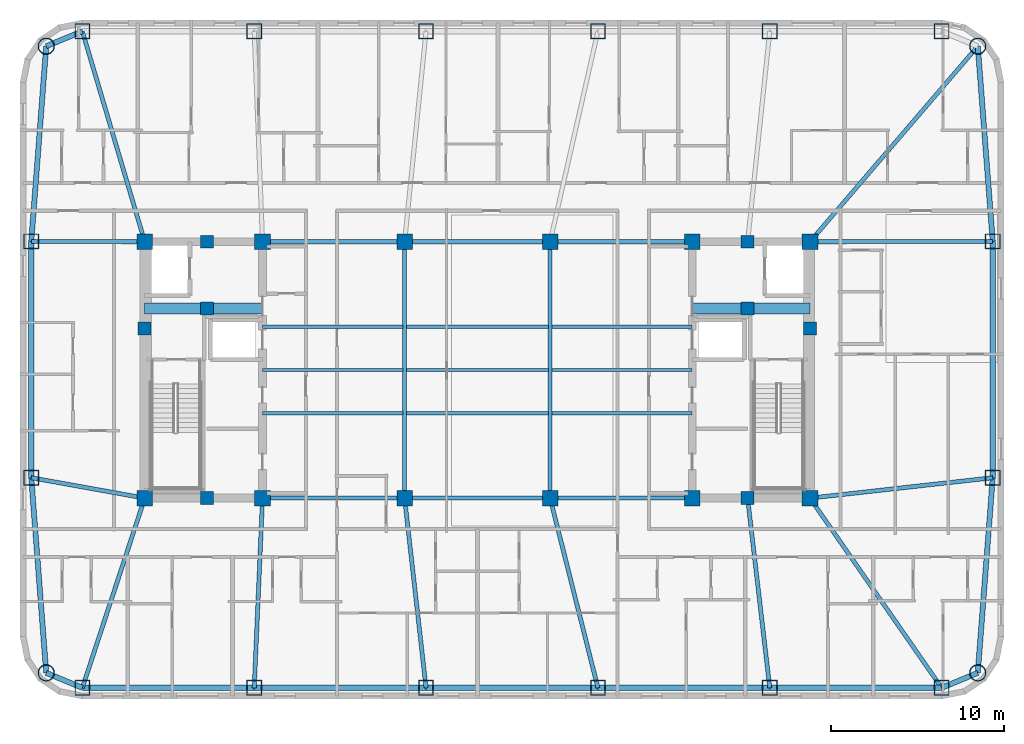
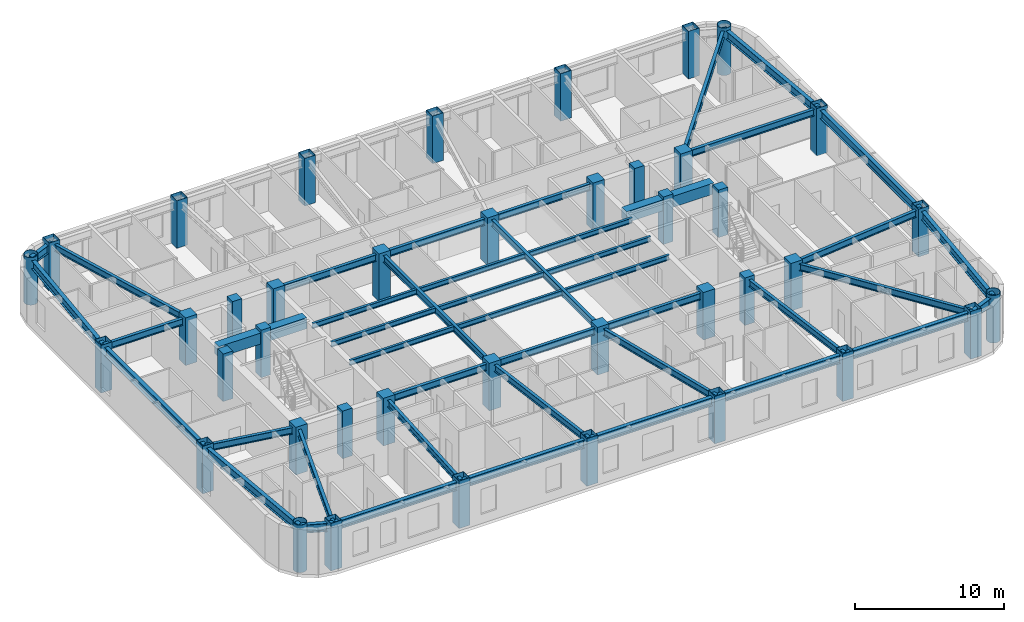
# One storey, part 1 of 11: 45 beams, 40 columns.
"""IFC4 building model written with IfcOpenShell, lengths in metres."""

from ifc_helpers import new_model, si_unit, direction, frame, origin, origin_2d, place, context, subcontext, project, spatial, rectangle, hollow_rectangle, hollow_circle, i_section, extrude, material, material_profile, profile_set, type_object, element, save


model = new_model("IFC4")

# Units and contexts
model_context = context("Model", 3, precision=1e-05, world=origin(), true_north=direction((0.0, 1.0)))
body_context = subcontext(model_context, "Body", "Model", "MODEL_VIEW")
ifc_project = project(units=[si_unit("LENGTHUNIT", "METRE"), si_unit("AREAUNIT", "SQUARE_METRE"), si_unit("VOLUMEUNIT", "CUBIC_METRE"), si_unit("PLANEANGLEUNIT", "RADIAN"), si_unit("MASSUNIT", "GRAM", prefix="KILO")], contexts=[model_context])

# Site, building, storey
site_placement = place(None, origin())
site = spatial("IfcSite", under=ifc_project, at=site_placement, CompositionType="ELEMENT")
building_placement = place(site_placement, origin())
building = spatial("IfcBuilding", under=site, at=building_placement, Name="Voryun Gate Residences", CompositionType="ELEMENT")
storey_placement = place(building_placement, frame((0.0, 0.0, 219.699951171875)))
storey = spatial("IfcBuildingStorey", under=building, at=storey_placement, Name="L54", CompositionType="ELEMENT", Elevation=219.699951171875)

# Columns
ifc_material_1 = material(Name="Concrete C50/60", Category="concrete")
ifc_material_profile_1 = material_profile(ifc_material_1, rectangle(XDim=0.75, YDim=0.75, at=origin_2d()), Name="RC-750x750")
ifc_profile_set_1 = profile_set([ifc_material_profile_1], Name="Concrete C50/60")
column_type_1 = type_object("IfcColumnType", Name="COL_CORE_750", PredefinedType="COLUMN", material=ifc_profile_set_1)
for number, where, z_axis, x_axis, name in (
    (1, (-19.199951171875, 2.39990234375, 0.0), (0.0, 0.0, 1.0), (1.0, 0.0, 0.0), "L54 Core boundary column WC-MW"),
    (2, (-15.60009765625, -7.39990234375, 0.0), (0.0, 0.0, 1.0), (1.0, 0.0, 0.0), "L54 Core boundary column WC-SM"),
    (3, (-15.60009765625, 7.39990234375, 0.0), (0.0, 0.0, 1.0), (1.0, 0.0, 0.0), "L54 Core boundary column WC-NM"),
    (4, (-15.60009765625, 3.550048828125, 0.0), (0.0, 0.0, 1.0), (1.0, 0.0, 0.0), "L54 Core boundary column WC-MM"),
    (5, (15.60009765625, 3.550048828125, 0.0), (0.0, 0.0, 1.0), (1.0, 0.0, 0.0), "L54 Core boundary column EC-MM"),
    (6, (15.60009765625, -7.39990234375, 0.0), (0.0, 0.0, 1.0), (1.0, 0.0, 0.0), "L54 Core boundary column EC-SM"),
    (7, (15.60009765625, 7.39990234375, 0.0), (0.0, 0.0, 1.0), (1.0, 0.0, 0.0), "L54 Core boundary column EC-NM"),
    (8, (19.199951171875, 2.39990234375, 0.0), (0.0, 0.0, 1.0), (1.0, 0.0, 0.0), "L54 Core boundary column EC-ME"),
):
    element("IfcColumn", number, at=place(storey_placement, frame(where, z_axis=z_axis, x_axis=x_axis)), inside=storey, type_object=column_type_1, Name=name, PredefinedType="COLUMN", context=body_context, shape_type="SweptSolid", body=[
        extrude(rectangle(XDim=0.75, YDim=0.75, at=origin_2d()), origin(), (0.0, 0.0, 1.0), 3.900146484375),
    ])
ifc_material_2 = material(Name="Concrete C50/60", Category="concrete")
ifc_material_profile_2 = material_profile(ifc_material_2, rectangle(XDim=0.89990234375, YDim=0.89990234375, at=origin_2d()), Name="RC-900x900")
ifc_profile_set_2 = profile_set([ifc_material_profile_2], Name="Concrete C50/60")
column_type_2 = type_object("IfcColumnType", Name="COL_CORE_900", PredefinedType="COLUMN", material=ifc_profile_set_2)
for number, where, z_axis, x_axis, name in (
    (9, (-19.199951171875, -7.39990234375, 0.0), (0.0, 0.0, 1.0), (1.0, 0.0, 0.0), "L54 Core boundary column WC-SW"),
    (10, (-19.199951171875, 7.39990234375, 0.0), (0.0, 0.0, 1.0), (1.0, 0.0, 0.0), "L54 Core boundary column WC-NW"),
    (11, (-12.39990234375, -7.39990234375, 0.0), (0.0, 0.0, 1.0), (1.0, 0.0, 0.0), "L54 Core boundary column WC-SE"),
    (12, (-12.39990234375, 7.39990234375, 0.0), (0.0, 0.0, 1.0), (1.0, 0.0, 0.0), "L54 Core boundary column WC-NE"),
    (13, (12.39990234375, -7.39990234375, 0.0), (0.0, 0.0, 1.0), (1.0, 0.0, 0.0), "L54 Core boundary column EC-SW"),
    (14, (12.39990234375, 7.39990234375, 0.0), (0.0, 0.0, 1.0), (1.0, 0.0, 0.0), "L54 Core boundary column EC-NW"),
    (15, (19.199951171875, -7.39990234375, 0.0), (0.0, 0.0, 1.0), (1.0, 0.0, 0.0), "L54 Core boundary column EC-SE"),
    (16, (19.199951171875, 7.39990234375, 0.0), (0.0, 0.0, 1.0), (1.0, 0.0, 0.0), "L54 Core boundary column EC-NE"),
    (17, (-4.199951171875, -7.39990234375, 0.0), (0.0, 0.0, 1.0), (1.0, 0.0, 0.0), "L54 Interior spine column SP-WS"),
    (18, (-4.199951171875, 7.39990234375, 0.0), (0.0, 0.0, 1.0), (1.0, 0.0, 0.0), "L54 Interior spine column SP-WN"),
    (19, (4.199951171875, -7.39990234375, 0.0), (0.0, 0.0, 1.0), (1.0, 0.0, 0.0), "L54 Interior spine column SP-ES"),
    (20, (4.199951171875, 7.39990234375, 0.0), (0.0, 0.0, 1.0), (1.0, 0.0, 0.0), "L54 Interior spine column SP-EN"),
):
    element("IfcColumn", number, at=place(storey_placement, frame(where, z_axis=z_axis, x_axis=x_axis)), inside=storey, type_object=column_type_2, Name=name, PredefinedType="COLUMN", context=body_context, shape_type="SweptSolid", body=[
        extrude(rectangle(XDim=0.89990234375, YDim=0.89990234375, at=origin_2d()), origin(), (0.0, 0.0, 1.0), 3.900146484375),
    ])
ifc_material_3 = material(Name="Steel SM420", Category="steel")
ifc_material_profile_3 = material_profile(ifc_material_3, hollow_circle(Radius=0.47509765625, WallThickness=0.031982421875, at=origin_2d()), Name="CHS-950x32")
ifc_profile_set_3 = profile_set([ifc_material_profile_3], Name="Steel SM420")
column_type_3 = type_object("IfcColumnType", Name="COL_CRN_950", PredefinedType="COLUMN", material=ifc_profile_set_3)
for number, where, z_axis, x_axis, name in (
    (21, (28.885986328125, -17.486083984375, 0.0), (0.0, 0.0, 1.0), (1.0, 0.0, 0.0), "L54 Exoskeleton column CSE"),
    (22, (28.885986328125, 18.68603515625, 0.0), (0.0, 0.0, 1.0), (1.0, 0.0, 0.0), "L54 Exoskeleton column CNE"),
    (23, (-24.885986328125, 18.68603515625, 0.0), (0.0, 0.0, 1.0), (1.0, 0.0, 0.0), "L54 Exoskeleton column CNW"),
    (24, (-24.885986328125, -17.486083984375, 0.0), (0.0, 0.0, 1.0), (1.0, 0.0, 0.0), "L54 Exoskeleton column CSW"),
):
    element("IfcColumn", number, at=place(storey_placement, frame(where, z_axis=z_axis, x_axis=x_axis)), inside=storey, type_object=column_type_3, Name=name, PredefinedType="COLUMN", context=body_context, shape_type="SweptSolid", body=[
        extrude(hollow_circle(Radius=0.47509765625, WallThickness=0.031982421875, at=origin_2d()), origin(), (0.0, 0.0, 1.0), 3.900146484375),
    ])
ifc_material_4 = material(Name="Steel SM355", Category="steel")
ifc_material_profile_4 = material_profile(ifc_material_4, hollow_rectangle(XDim=0.85009765625, YDim=0.85009765625, WallThickness=0.028076171875, at=origin_2d()), Name="BOX-850x850x28")
ifc_profile_set_4 = profile_set([ifc_material_profile_4], Name="Steel SM355")
column_type_4 = type_object("IfcColumnType", Name="COL_EXO_B4", PredefinedType="COLUMN", material=ifc_profile_set_4)
for number, where, z_axis, x_axis, name in (
    (25, (-22.800048828125, -18.35009765625, 0.0), (0.0, 0.0, 1.0), (1.0, 0.0, 0.0), "L54 Exoskeleton column S1"),
    (26, (-12.8798828125, -18.35009765625, 0.0), (0.0, 0.0, 1.0), (1.0, 0.0, 0.0), "L54 Exoskeleton column S2"),
    (27, (-2.9599609375, -18.35009765625, 0.0), (0.0, 0.0, 1.0), (1.0, 0.0, 0.0), "L54 Exoskeleton column S3"),
    (28, (6.9599609375, -18.35009765625, 0.0), (0.0, 0.0, 1.0), (1.0, 0.0, 0.0), "L54 Exoskeleton column S4"),
    (29, (16.8798828125, -18.35009765625, 0.0), (0.0, 0.0, 1.0), (1.0, 0.0, 0.0), "L54 Exoskeleton column S5"),
    (30, (26.800048828125, -18.35009765625, 0.0), (0.0, 0.0, 1.0), (1.0, 0.0, 0.0), "L54 Exoskeleton column S6"),
    (31, (29.75, -6.221923828125, 0.0), (0.0, 0.0, 1.0), (1.0, 0.0, 0.0), "L54 Exoskeleton column E1"),
    (32, (29.75, 7.422119140625, 0.0), (0.0, 0.0, 1.0), (1.0, 0.0, 0.0), "L54 Exoskeleton column E2"),
    (33, (26.800048828125, 19.550048828125, 0.0), (0.0, 0.0, 1.0), (1.0, 0.0, 0.0), "L54 Exoskeleton column N1"),
    (34, (16.8798828125, 19.550048828125, 0.0), (0.0, 0.0, 1.0), (1.0, 0.0, 0.0), "L54 Exoskeleton column N2"),
    (35, (6.9599609375, 19.550048828125, 0.0), (0.0, 0.0, 1.0), (1.0, 0.0, 0.0), "L54 Exoskeleton column N3"),
    (36, (-2.9599609375, 19.550048828125, 0.0), (0.0, 0.0, 1.0), (1.0, 0.0, 0.0), "L54 Exoskeleton column N4"),
    (37, (-12.8798828125, 19.550048828125, 0.0), (0.0, 0.0, 1.0), (1.0, 0.0, 0.0), "L54 Exoskeleton column N5"),
    (38, (-22.800048828125, 19.550048828125, 0.0), (0.0, 0.0, 1.0), (1.0, 0.0, 0.0), "L54 Exoskeleton column N6"),
    (39, (-25.75, 7.422119140625, 0.0), (0.0, 0.0, 1.0), (1.0, 0.0, 0.0), "L54 Exoskeleton column W1"),
    (40, (-25.75, -6.221923828125, 0.0), (0.0, 0.0, 1.0), (1.0, 0.0, 0.0), "L54 Exoskeleton column W2"),
):
    element("IfcColumn", number, at=place(storey_placement, frame(where, z_axis=z_axis, x_axis=x_axis)), inside=storey, type_object=column_type_4, Name=name, PredefinedType="COLUMN", context=body_context, shape_type="SweptSolid", body=[
        extrude(hollow_rectangle(XDim=0.85009765625, YDim=0.85009765625, WallThickness=0.028076171875, at=origin_2d()), origin(), (0.0, 0.0, 1.0), 3.900146484375),
    ])

# Beams
ifc_material_5 = material(Name="Concrete C60/75", Category="concrete")
ifc_material_profile_5 = material_profile(ifc_material_5, rectangle(XDim=0.64990234375, YDim=0.89990234375, at=origin_2d()), Name="RC-650x900")
ifc_profile_set_5 = profile_set([ifc_material_profile_5], Name="Concrete C60/75")
beam_type_1 = type_object("IfcBeamType", Name="BM_COUP_RC900", PredefinedType="LINTEL", material=ifc_profile_set_5)
for number, where, z_axis, x_axis, name in (
    (41, (-19.199951171875, 3.550048828125, 3.199951171875), (1.0, 0.0, 0.0), (0.0, 1.0, 0.0), "BM-L54-WC1"),
    (42, (12.39990234375, 3.550048828125, 3.199951171875), (1.0, 0.0, 0.0), (0.0, 1.0, 0.0), "BM-L54-EC1"),
):
    element("IfcBeam", number, at=place(storey_placement, frame(where, z_axis=z_axis, x_axis=x_axis)), inside=storey, type_object=beam_type_1, Name=name, PredefinedType="LINTEL", context=body_context, shape_type="SweptSolid", body=[
        extrude(rectangle(XDim=0.64990234375, YDim=0.89990234375, at=origin_2d()), origin(), (0.0, 0.0, 1.0), 6.800048828125),
    ])
ifc_material_6 = material(Name="Steel SM355", Category="steel")
ifc_material_profile_6 = material_profile(ifc_material_6, i_section(OverallWidth=0.300048828125, OverallDepth=0.679931640625, WebThickness=0.013916015625, FlangeThickness=0.02490234375, FilletRadius=0.01806640625, at=origin_2d()), Name="H-680x300x14x25")
ifc_profile_set_6 = profile_set([ifc_material_profile_6], Name="Steel SM355")
beam_type_2 = type_object("IfcBeamType", Name="BM_EXO_SPANDREL_M", PredefinedType="SPANDREL", material=ifc_profile_set_6)
beam_1_placement = place(storey_placement, frame((-22.800048828125, -18.35009765625, 3.31005859375), z_axis=(1.0, 0.0, 0.0), x_axis=(0.0, 1.0, 0.0)))
element("IfcBeam", 43, at=beam_1_placement, inside=storey, type_object=beam_type_2, Name="BM-L54-SPAND-01", PredefinedType="SPANDREL", context=body_context, shape_type="SweptSolid", body=[
    extrude(i_section(OverallWidth=0.300048828125, OverallDepth=0.679931640625, WebThickness=0.013916015625, FlangeThickness=0.02490234375, FilletRadius=0.01806640625, at=origin_2d()), origin(), (0.0, 0.0, 1.0), 9.920166015625),
])
for number, where, z_axis, x_axis, name in (
    (44, (-12.8798828125, -18.35009765625, 3.31005859375), (1.0, 0.0, 0.0), (0.0, 1.0, 0.0), "BM-L54-SPAND-02"),
    (45, (-2.9599609375, -18.35009765625, 3.31005859375), (1.0, 0.0, 0.0), (0.0, 1.0, 0.0), "BM-L54-SPAND-03"),
    (46, (6.9599609375, -18.35009765625, 3.31005859375), (1.0, 0.0, 0.0), (0.0, 1.0, 0.0), "BM-L54-SPAND-04"),
):
    element("IfcBeam", number, at=place(storey_placement, frame(where, z_axis=z_axis, x_axis=x_axis)), inside=storey, type_object=beam_type_2, Name=name, PredefinedType="SPANDREL", context=body_context, shape_type="SweptSolid", body=[
        extrude(i_section(OverallWidth=0.300048828125, OverallDepth=0.679931640625, WebThickness=0.013916015625, FlangeThickness=0.02490234375, FilletRadius=0.01806640625, at=origin_2d()), origin(), (0.0, 0.0, 1.0), 9.919921875),
    ])
beam_2_placement = place(storey_placement, frame((16.8798828125, -18.35009765625, 3.31005859375), z_axis=(1.0, 0.0, 0.0), x_axis=(0.0, 1.0, 0.0)))
element("IfcBeam", 47, at=beam_2_placement, inside=storey, type_object=beam_type_2, Name="BM-L54-SPAND-05", PredefinedType="SPANDREL", context=body_context, shape_type="SweptSolid", body=[
    extrude(i_section(OverallWidth=0.300048828125, OverallDepth=0.679931640625, WebThickness=0.013916015625, FlangeThickness=0.02490234375, FilletRadius=0.01806640625, at=origin_2d()), origin(), (0.0, 0.0, 1.0), 9.920166015625),
])
beam_3_placement = place(storey_placement, frame((26.800048828125, -18.35009765625, 3.31005859375), z_axis=(0.923881087602, 0.382679678022, 0.0), x_axis=(-0.382679678022, 0.923881087602, 0.0)))
element("IfcBeam", 48, at=beam_3_placement, inside=storey, type_object=beam_type_2, Name="BM-L54-SPAND-06", PredefinedType="SPANDREL", context=body_context, shape_type="SweptSolid", body=[
    extrude(i_section(OverallWidth=0.300048828125, OverallDepth=0.679931640625, WebThickness=0.013916015625, FlangeThickness=0.02490234375, FilletRadius=0.01806640625, at=origin_2d()), origin(), (0.0, 0.0, 1.0), 2.2578125),
])
beam_4_placement = place(storey_placement, frame((28.885986328125, -17.486083984375, 3.31005859375), z_axis=(0.076480009441, 0.997071114894, 0.0), x_axis=(-0.997071114894, 0.076480009441, 0.0)))
element("IfcBeam", 49, at=beam_4_placement, inside=storey, type_object=beam_type_2, Name="BM-L54-SPAND-07", PredefinedType="SPANDREL", context=body_context, shape_type="SweptSolid", body=[
    extrude(i_section(OverallWidth=0.300048828125, OverallDepth=0.679931640625, WebThickness=0.013916015625, FlangeThickness=0.02490234375, FilletRadius=0.01806640625, at=origin_2d()), origin(), (0.0, 0.0, 1.0), 11.29736328125),
])
beam_5_placement = place(storey_placement, frame((29.75, -6.221923828125, 3.31005859375), z_axis=(0.0, 1.0, 0.0), x_axis=(-1.0, 0.0, 0.0)))
element("IfcBeam", 50, at=beam_5_placement, inside=storey, type_object=beam_type_2, Name="BM-L54-SPAND-08", PredefinedType="SPANDREL", context=body_context, shape_type="SweptSolid", body=[
    extrude(i_section(OverallWidth=0.300048828125, OverallDepth=0.679931640625, WebThickness=0.013916015625, FlangeThickness=0.02490234375, FilletRadius=0.01806640625, at=origin_2d()), origin(), (0.0, 0.0, 1.0), 13.64404296875),
])
beam_6_placement = place(storey_placement, frame((29.75, 7.422119140625, 3.31005859375), z_axis=(-0.076481657417, 0.997070988485, 0.0), x_axis=(-0.997070988485, -0.076481657417, 0.0)))
element("IfcBeam", 51, at=beam_6_placement, inside=storey, type_object=beam_type_2, Name="BM-L54-SPAND-09", PredefinedType="SPANDREL", context=body_context, shape_type="SweptSolid", body=[
    extrude(i_section(OverallWidth=0.300048828125, OverallDepth=0.679931640625, WebThickness=0.013916015625, FlangeThickness=0.02490234375, FilletRadius=0.01806640625, at=origin_2d()), origin(), (0.0, 0.0, 1.0), 11.297119140625),
])
beam_7_placement = place(storey_placement, frame((-22.800048828125, 19.550048828125, 3.31005859375), z_axis=(-0.923881087602, -0.382679678022, 0.0), x_axis=(0.382679678022, -0.923881087602, 0.0)))
element("IfcBeam", 52, at=beam_7_placement, inside=storey, type_object=beam_type_2, Name="BM-L54-SPAND-16", PredefinedType="SPANDREL", context=body_context, shape_type="SweptSolid", body=[
    extrude(i_section(OverallWidth=0.300048828125, OverallDepth=0.679931640625, WebThickness=0.013916015625, FlangeThickness=0.02490234375, FilletRadius=0.01806640625, at=origin_2d()), origin(), (0.0, 0.0, 1.0), 2.2578125),
])
beam_8_placement = place(storey_placement, frame((-24.885986328125, 18.68603515625, 3.31005859375), z_axis=(-0.076481657417, -0.997070988485, 0.0), x_axis=(0.997070988485, -0.076481657417, 0.0)))
element("IfcBeam", 53, at=beam_8_placement, inside=storey, type_object=beam_type_2, Name="BM-L54-SPAND-17", PredefinedType="SPANDREL", context=body_context, shape_type="SweptSolid", body=[
    extrude(i_section(OverallWidth=0.300048828125, OverallDepth=0.679931640625, WebThickness=0.013916015625, FlangeThickness=0.02490234375, FilletRadius=0.01806640625, at=origin_2d()), origin(), (0.0, 0.0, 1.0), 11.297119140625),
])
beam_9_placement = place(storey_placement, frame((-25.75, 7.422119140625, 3.31005859375), z_axis=(0.0, -1.0, 0.0), x_axis=(1.0, 0.0, 0.0)))
element("IfcBeam", 54, at=beam_9_placement, inside=storey, type_object=beam_type_2, Name="BM-L54-SPAND-18", PredefinedType="SPANDREL", context=body_context, shape_type="SweptSolid", body=[
    extrude(i_section(OverallWidth=0.300048828125, OverallDepth=0.679931640625, WebThickness=0.013916015625, FlangeThickness=0.02490234375, FilletRadius=0.01806640625, at=origin_2d()), origin(), (0.0, 0.0, 1.0), 13.64404296875),
])
beam_10_placement = place(storey_placement, frame((-25.75, -6.221923828125, 3.31005859375), z_axis=(0.076480009441, -0.997071114894, 0.0), x_axis=(0.997071114894, 0.076480009441, 0.0)))
element("IfcBeam", 55, at=beam_10_placement, inside=storey, type_object=beam_type_2, Name="BM-L54-SPAND-19", PredefinedType="SPANDREL", context=body_context, shape_type="SweptSolid", body=[
    extrude(i_section(OverallWidth=0.300048828125, OverallDepth=0.679931640625, WebThickness=0.013916015625, FlangeThickness=0.02490234375, FilletRadius=0.01806640625, at=origin_2d()), origin(), (0.0, 0.0, 1.0), 11.29736328125),
])
beam_11_placement = place(storey_placement, frame((-24.885986328125, -17.486083984375, 3.31005859375), z_axis=(0.923881087602, -0.382679678022, 0.0), x_axis=(0.382679678022, 0.923881087602, 0.0)))
element("IfcBeam", 56, at=beam_11_placement, inside=storey, type_object=beam_type_2, Name="BM-L54-SPAND-20", PredefinedType="SPANDREL", context=body_context, shape_type="SweptSolid", body=[
    extrude(i_section(OverallWidth=0.300048828125, OverallDepth=0.679931640625, WebThickness=0.013916015625, FlangeThickness=0.02490234375, FilletRadius=0.01806640625, at=origin_2d()), origin(), (0.0, 0.0, 1.0), 2.2578125),
])
ifc_material_7 = material(Name="Steel SM355", Category="steel")
ifc_material_profile_7 = material_profile(ifc_material_7, i_section(OverallWidth=0.239990234375, OverallDepth=0.550048828125, WebThickness=0.011962890625, FlangeThickness=0.02001953125, FilletRadius=0.01806640625, at=origin_2d()), Name="H-550x240x12x20")
ifc_profile_set_7 = profile_set([ifc_material_profile_7], Name="Steel SM355")
beam_type_3 = type_object("IfcBeamType", Name="BM_GIRD_550", PredefinedType="USERDEFINED", material=ifc_profile_set_7)
beam_12_placement = place(storey_placement, frame((-12.39990234375, -7.39990234375, 3.375), z_axis=(1.0, 0.0, 0.0), x_axis=(0.0, 1.0, 0.0)))
element("IfcBeam", 57, at=beam_12_placement, inside=storey, type_object=beam_type_3, Name="BM-L54-SPG1-S", ObjectType="GIRDER", PredefinedType="USERDEFINED", context=body_context, shape_type="SweptSolid", body=[
    extrude(i_section(OverallWidth=0.239990234375, OverallDepth=0.550048828125, WebThickness=0.011962890625, FlangeThickness=0.02001953125, FilletRadius=0.01806640625, at=origin_2d()), origin(), (0.0, 0.0, 1.0), 8.199951171875),
])
beam_13_placement = place(storey_placement, frame((-4.199951171875, -7.39990234375, 3.375), z_axis=(1.0, 0.0, 0.0), x_axis=(0.0, 1.0, 0.0)))
element("IfcBeam", 58, at=beam_13_placement, inside=storey, type_object=beam_type_3, Name="BM-L54-SPG2-S", ObjectType="GIRDER", PredefinedType="USERDEFINED", context=body_context, shape_type="SweptSolid", body=[
    extrude(i_section(OverallWidth=0.239990234375, OverallDepth=0.550048828125, WebThickness=0.011962890625, FlangeThickness=0.02001953125, FilletRadius=0.01806640625, at=origin_2d()), origin(), (0.0, 0.0, 1.0), 8.39990234375),
])
for number, where, z_axis, x_axis, name in (
    (59, (4.199951171875, -7.39990234375, 3.375), (1.0, 0.0, 0.0), (0.0, 1.0, 0.0), "BM-L54-SPG3-S"),
    (60, (-12.39990234375, 7.39990234375, 3.375), (1.0, 0.0, 0.0), (0.0, 1.0, 0.0), "BM-L54-SPG1-N"),
):
    element("IfcBeam", number, at=place(storey_placement, frame(where, z_axis=z_axis, x_axis=x_axis)), inside=storey, type_object=beam_type_3, Name=name, ObjectType="GIRDER", PredefinedType="USERDEFINED", context=body_context, shape_type="SweptSolid", body=[
        extrude(i_section(OverallWidth=0.239990234375, OverallDepth=0.550048828125, WebThickness=0.011962890625, FlangeThickness=0.02001953125, FilletRadius=0.01806640625, at=origin_2d()), origin(), (0.0, 0.0, 1.0), 8.199951171875),
    ])
beam_14_placement = place(storey_placement, frame((-4.199951171875, 7.39990234375, 3.375), z_axis=(1.0, 0.0, 0.0), x_axis=(0.0, 1.0, 0.0)))
element("IfcBeam", 61, at=beam_14_placement, inside=storey, type_object=beam_type_3, Name="BM-L54-SPG2-N", ObjectType="GIRDER", PredefinedType="USERDEFINED", context=body_context, shape_type="SweptSolid", body=[
    extrude(i_section(OverallWidth=0.239990234375, OverallDepth=0.550048828125, WebThickness=0.011962890625, FlangeThickness=0.02001953125, FilletRadius=0.01806640625, at=origin_2d()), origin(), (0.0, 0.0, 1.0), 8.39990234375),
])
beam_15_placement = place(storey_placement, frame((4.199951171875, 7.39990234375, 3.375), z_axis=(1.0, 0.0, 0.0), x_axis=(0.0, 1.0, 0.0)))
element("IfcBeam", 62, at=beam_15_placement, inside=storey, type_object=beam_type_3, Name="BM-L54-SPG3-N", ObjectType="GIRDER", PredefinedType="USERDEFINED", context=body_context, shape_type="SweptSolid", body=[
    extrude(i_section(OverallWidth=0.239990234375, OverallDepth=0.550048828125, WebThickness=0.011962890625, FlangeThickness=0.02001953125, FilletRadius=0.01806640625, at=origin_2d()), origin(), (0.0, 0.0, 1.0), 8.199951171875),
])
for number, where, z_axis, x_axis, name in (
    (63, (-4.199951171875, -7.39990234375, 3.375), (0.0, 1.0, 0.0), (-1.0, 0.0, 0.0), "BM-L54-SPX-W"),
    (64, (4.199951171875, -7.39990234375, 3.375), (0.0, 1.0, 0.0), (-1.0, 0.0, 0.0), "BM-L54-SPX-E"),
):
    element("IfcBeam", number, at=place(storey_placement, frame(where, z_axis=z_axis, x_axis=x_axis)), inside=storey, type_object=beam_type_3, Name=name, ObjectType="GIRDER", PredefinedType="USERDEFINED", context=body_context, shape_type="SweptSolid", body=[
        extrude(i_section(OverallWidth=0.239990234375, OverallDepth=0.550048828125, WebThickness=0.011962890625, FlangeThickness=0.02001953125, FilletRadius=0.01806640625, at=origin_2d()), origin(), (0.0, 0.0, 1.0), 14.7998046875),
    ])
beam_16_placement = place(storey_placement, frame((-19.199951171875, -7.39990234375, 3.375), z_axis=(-0.312323693326, -0.949975742104, 0.0), x_axis=(0.949975742104, -0.312323693326, 0.0)))
element("IfcBeam", 65, at=beam_16_placement, inside=storey, type_object=beam_type_3, Name="BM-L54-RAD-S1", ObjectType="GIRDER", PredefinedType="USERDEFINED", context=body_context, shape_type="SweptSolid", body=[
    extrude(i_section(OverallWidth=0.239990234375, OverallDepth=0.550048828125, WebThickness=0.011962890625, FlangeThickness=0.02001953125, FilletRadius=0.01806640625, at=origin_2d()), origin(), (0.0, 0.0, 1.0), 11.52685546875),
])
beam_17_placement = place(storey_placement, frame((-12.39990234375, -7.39990234375, 3.375), z_axis=(-0.043791002488, -0.999040713936, 0.0), x_axis=(0.999040713936, -0.043791002488, 0.0)))
element("IfcBeam", 66, at=beam_17_placement, inside=storey, type_object=beam_type_3, Name="BM-L54-RAD-S2", ObjectType="GIRDER", PredefinedType="USERDEFINED", context=body_context, shape_type="SweptSolid", body=[
    extrude(i_section(OverallWidth=0.239990234375, OverallDepth=0.550048828125, WebThickness=0.011962890625, FlangeThickness=0.02001953125, FilletRadius=0.01806640625, at=origin_2d()), origin(), (0.0, 0.0, 1.0), 10.960693359375),
])
beam_18_placement = place(storey_placement, frame((-4.199951171875, -7.39990234375, 3.375), z_axis=(0.112519968476, -0.993649463691, 0.0), x_axis=(0.993649463691, 0.112519968476, 0.0)))
element("IfcBeam", 67, at=beam_18_placement, inside=storey, type_object=beam_type_3, Name="BM-L54-RAD-S3", ObjectType="GIRDER", PredefinedType="USERDEFINED", context=body_context, shape_type="SweptSolid", body=[
    extrude(i_section(OverallWidth=0.239990234375, OverallDepth=0.550048828125, WebThickness=0.011962890625, FlangeThickness=0.02001953125, FilletRadius=0.01806640625, at=origin_2d()), origin(), (0.0, 0.0, 1.0), 11.020263671875),
])
beam_19_placement = place(storey_placement, frame((4.199951171875, -7.39990234375, 3.375), z_axis=(0.24440715799, -0.969672697936, 0.0), x_axis=(0.969672697936, 0.24440715799, 0.0)))
element("IfcBeam", 68, at=beam_19_placement, inside=storey, type_object=beam_type_3, Name="BM-L54-RAD-S4", ObjectType="GIRDER", PredefinedType="USERDEFINED", context=body_context, shape_type="SweptSolid", body=[
    extrude(i_section(OverallWidth=0.239990234375, OverallDepth=0.550048828125, WebThickness=0.011962890625, FlangeThickness=0.02001953125, FilletRadius=0.01806640625, at=origin_2d()), origin(), (0.0, 0.0, 1.0), 11.292724609375),
])
beam_20_placement = place(storey_placement, frame((15.60009765625, -7.39990234375, 3.375), z_axis=(0.116083150214, -0.993239498931, 0.0), x_axis=(0.993239498931, 0.116083150214, 0.0)))
element("IfcBeam", 69, at=beam_20_placement, inside=storey, type_object=beam_type_3, Name="BM-L54-RAD-S5", ObjectType="GIRDER", PredefinedType="USERDEFINED", context=body_context, shape_type="SweptSolid", body=[
    extrude(i_section(OverallWidth=0.239990234375, OverallDepth=0.550048828125, WebThickness=0.011962890625, FlangeThickness=0.02001953125, FilletRadius=0.01806640625, at=origin_2d()), origin(), (0.0, 0.0, 1.0), 11.024658203125),
])
beam_21_placement = place(storey_placement, frame((19.199951171875, -7.39990234375, 3.375), z_axis=(0.570182975489, -0.821517726201, 0.0), x_axis=(0.821517726201, 0.570182975489, 0.0)))
element("IfcBeam", 70, at=beam_21_placement, inside=storey, type_object=beam_type_3, Name="BM-L54-RAD-S6", ObjectType="GIRDER", PredefinedType="USERDEFINED", context=body_context, shape_type="SweptSolid", body=[
    extrude(i_section(OverallWidth=0.239990234375, OverallDepth=0.550048828125, WebThickness=0.011962890625, FlangeThickness=0.02001953125, FilletRadius=0.01806640625, at=origin_2d()), origin(), (0.0, 0.0, 1.0), 13.329345703125),
])
beam_22_placement = place(storey_placement, frame((19.199951171875, -7.39990234375, 3.375), z_axis=(0.993824131675, 0.110966640486, 0.0), x_axis=(-0.110966640486, 0.993824131675, 0.0)))
element("IfcBeam", 71, at=beam_22_placement, inside=storey, type_object=beam_type_3, Name="BM-L54-RAD-E1", ObjectType="GIRDER", PredefinedType="USERDEFINED", context=body_context, shape_type="SweptSolid", body=[
    extrude(i_section(OverallWidth=0.239990234375, OverallDepth=0.550048828125, WebThickness=0.011962890625, FlangeThickness=0.02001953125, FilletRadius=0.01806640625, at=origin_2d()), origin(), (0.0, 0.0, 1.0), 10.61572265625),
])
beam_23_placement = place(storey_placement, frame((19.199951171875, 7.39990234375, 3.375), z_axis=(0.99999778271, 0.002105843108, 0.0), x_axis=(-0.002105843108, 0.99999778271, 0.0)))
element("IfcBeam", 72, at=beam_23_placement, inside=storey, type_object=beam_type_3, Name="BM-L54-RAD-E2", ObjectType="GIRDER", PredefinedType="USERDEFINED", context=body_context, shape_type="SweptSolid", body=[
    extrude(i_section(OverallWidth=0.239990234375, OverallDepth=0.550048828125, WebThickness=0.011962890625, FlangeThickness=0.02001953125, FilletRadius=0.01806640625, at=origin_2d()), origin(), (0.0, 0.0, 1.0), 10.550048828125),
])
beam_24_placement = place(storey_placement, frame((19.199951171875, 7.39990234375, 3.375), z_axis=(0.651264396721, 0.758850898111, 0.0), x_axis=(-0.758850898111, 0.651264396721, 0.0)))
element("IfcBeam", 73, at=beam_24_placement, inside=storey, type_object=beam_type_3, Name="BM-L54-RAD-CNE", ObjectType="GIRDER", PredefinedType="USERDEFINED", context=body_context, shape_type="SweptSolid", body=[
    extrude(i_section(OverallWidth=0.239990234375, OverallDepth=0.550048828125, WebThickness=0.011962890625, FlangeThickness=0.02001953125, FilletRadius=0.01806640625, at=origin_2d()), origin(), (0.0, 0.0, 1.0), 14.87255859375),
])
beam_25_placement = place(storey_placement, frame((-19.199951171875, 7.39990234375, 3.375), z_axis=(-0.284092265434, 0.958796946553, 0.0), x_axis=(-0.958796946553, -0.284092265434, 0.0)))
element("IfcBeam", 74, at=beam_25_placement, inside=storey, type_object=beam_type_3, Name="BM-L54-RAD-N6", ObjectType="GIRDER", PredefinedType="USERDEFINED", context=body_context, shape_type="SweptSolid", body=[
    extrude(i_section(OverallWidth=0.239990234375, OverallDepth=0.550048828125, WebThickness=0.011962890625, FlangeThickness=0.02001953125, FilletRadius=0.01806640625, at=origin_2d()), origin(), (0.0, 0.0, 1.0), 12.67236328125),
])
beam_26_placement = place(storey_placement, frame((-19.199951171875, 7.39990234375, 3.375), z_axis=(-0.999994247719, 0.003391832589, 0.0), x_axis=(-0.003391832589, -0.999994247719, 0.0)))
element("IfcBeam", 75, at=beam_26_placement, inside=storey, type_object=beam_type_3, Name="BM-L54-RAD-W1", ObjectType="GIRDER", PredefinedType="USERDEFINED", context=body_context, shape_type="SweptSolid", body=[
    extrude(i_section(OverallWidth=0.239990234375, OverallDepth=0.550048828125, WebThickness=0.011962890625, FlangeThickness=0.02001953125, FilletRadius=0.01806640625, at=origin_2d()), origin(), (0.0, 0.0, 1.0), 6.550048828125),
])
beam_27_placement = place(storey_placement, frame((-19.199951171875, -7.39990234375, 3.375), z_axis=(-0.984210303638, 0.177003045773, 0.0), x_axis=(-0.177003045773, -0.984210303638, 0.0)))
element("IfcBeam", 76, at=beam_27_placement, inside=storey, type_object=beam_type_3, Name="BM-L54-RAD-W2", ObjectType="GIRDER", PredefinedType="USERDEFINED", context=body_context, shape_type="SweptSolid", body=[
    extrude(i_section(OverallWidth=0.239990234375, OverallDepth=0.550048828125, WebThickness=0.011962890625, FlangeThickness=0.02001953125, FilletRadius=0.01806640625, at=origin_2d()), origin(), (0.0, 0.0, 1.0), 6.655029296875),
])
ifc_material_8 = material(Name="Steel SM355", Category="steel")
ifc_material_profile_8 = material_profile(ifc_material_8, i_section(OverallWidth=0.18994140625, OverallDepth=0.419921875, WebThickness=0.009033203125, FlangeThickness=0.01611328125, FilletRadius=0.01806640625, at=origin_2d()), Name="H-420x190x9x16")
ifc_profile_set_8 = profile_set([ifc_material_profile_8], Name="Steel SM355")
beam_type_4 = type_object("IfcBeamType", Name="BM_SEC_420", PredefinedType="BEAM", material=ifc_profile_set_8)
beam_28_placement = place(storey_placement, frame((-12.39990234375, -2.5, 3.43994140625), z_axis=(1.0, 0.0, 0.0), x_axis=(0.0, 1.0, 0.0)))
element("IfcBeam", 77, at=beam_28_placement, inside=storey, type_object=beam_type_4, Name="BM-L54-SEC-CS1", PredefinedType="BEAM", context=body_context, shape_type="SweptSolid", body=[
    extrude(i_section(OverallWidth=0.18994140625, OverallDepth=0.419921875, WebThickness=0.009033203125, FlangeThickness=0.01611328125, FilletRadius=0.01806640625, at=origin_2d()), origin(), (0.0, 0.0, 1.0), 8.099853515625),
])
beam_29_placement = place(storey_placement, frame((-4.10009765625, -2.5, 3.43994140625), z_axis=(1.0, 0.0, 0.0), x_axis=(0.0, 1.0, 0.0)))
element("IfcBeam", 78, at=beam_29_placement, inside=storey, type_object=beam_type_4, Name="BM-L54-SEC-CS2", PredefinedType="BEAM", context=body_context, shape_type="SweptSolid", body=[
    extrude(i_section(OverallWidth=0.18994140625, OverallDepth=0.419921875, WebThickness=0.009033203125, FlangeThickness=0.01611328125, FilletRadius=0.01806640625, at=origin_2d()), origin(), (0.0, 0.0, 1.0), 8.2001953125),
])
for number, where, z_axis, x_axis, name in (
    (79, (4.300048828125, -2.5, 3.43994140625), (1.0, 0.0, 0.0), (0.0, 1.0, 0.0), "BM-L54-SEC-CS3"),
    (80, (-12.39990234375, 0.0, 3.43994140625), (1.0, 0.0, 0.0), (0.0, 1.0, 0.0), "BM-L54-SEC-CM1"),
):
    element("IfcBeam", number, at=place(storey_placement, frame(where, z_axis=z_axis, x_axis=x_axis)), inside=storey, type_object=beam_type_4, Name=name, PredefinedType="BEAM", context=body_context, shape_type="SweptSolid", body=[
        extrude(i_section(OverallWidth=0.18994140625, OverallDepth=0.419921875, WebThickness=0.009033203125, FlangeThickness=0.01611328125, FilletRadius=0.01806640625, at=origin_2d()), origin(), (0.0, 0.0, 1.0), 8.099853515625),
    ])
beam_30_placement = place(storey_placement, frame((-4.10009765625, 0.0, 3.43994140625), z_axis=(1.0, 0.0, 0.0), x_axis=(0.0, 1.0, 0.0)))
element("IfcBeam", 81, at=beam_30_placement, inside=storey, type_object=beam_type_4, Name="BM-L54-SEC-CM2", PredefinedType="BEAM", context=body_context, shape_type="SweptSolid", body=[
    extrude(i_section(OverallWidth=0.18994140625, OverallDepth=0.419921875, WebThickness=0.009033203125, FlangeThickness=0.01611328125, FilletRadius=0.01806640625, at=origin_2d()), origin(), (0.0, 0.0, 1.0), 8.2001953125),
])
for number, where, z_axis, x_axis, name in (
    (82, (4.300048828125, 0.0, 3.43994140625), (1.0, 0.0, 0.0), (0.0, 1.0, 0.0), "BM-L54-SEC-CM3"),
    (83, (-12.39990234375, 2.5, 3.43994140625), (1.0, 0.0, 0.0), (0.0, 1.0, 0.0), "BM-L54-SEC-CN1"),
):
    element("IfcBeam", number, at=place(storey_placement, frame(where, z_axis=z_axis, x_axis=x_axis)), inside=storey, type_object=beam_type_4, Name=name, PredefinedType="BEAM", context=body_context, shape_type="SweptSolid", body=[
        extrude(i_section(OverallWidth=0.18994140625, OverallDepth=0.419921875, WebThickness=0.009033203125, FlangeThickness=0.01611328125, FilletRadius=0.01806640625, at=origin_2d()), origin(), (0.0, 0.0, 1.0), 8.099853515625),
    ])
beam_31_placement = place(storey_placement, frame((-4.10009765625, 2.5, 3.43994140625), z_axis=(1.0, 0.0, 0.0), x_axis=(0.0, 1.0, 0.0)))
element("IfcBeam", 84, at=beam_31_placement, inside=storey, type_object=beam_type_4, Name="BM-L54-SEC-CN2", PredefinedType="BEAM", context=body_context, shape_type="SweptSolid", body=[
    extrude(i_section(OverallWidth=0.18994140625, OverallDepth=0.419921875, WebThickness=0.009033203125, FlangeThickness=0.01611328125, FilletRadius=0.01806640625, at=origin_2d()), origin(), (0.0, 0.0, 1.0), 8.2001953125),
])
beam_32_placement = place(storey_placement, frame((4.300048828125, 2.5, 3.43994140625), z_axis=(1.0, 0.0, 0.0), x_axis=(0.0, 1.0, 0.0)))
element("IfcBeam", 85, at=beam_32_placement, inside=storey, type_object=beam_type_4, Name="BM-L54-SEC-CN3", PredefinedType="BEAM", context=body_context, shape_type="SweptSolid", body=[
    extrude(i_section(OverallWidth=0.18994140625, OverallDepth=0.419921875, WebThickness=0.009033203125, FlangeThickness=0.01611328125, FilletRadius=0.01806640625, at=origin_2d()), origin(), (0.0, 0.0, 1.0), 8.099853515625),
])

save(model, "model.ifc")
